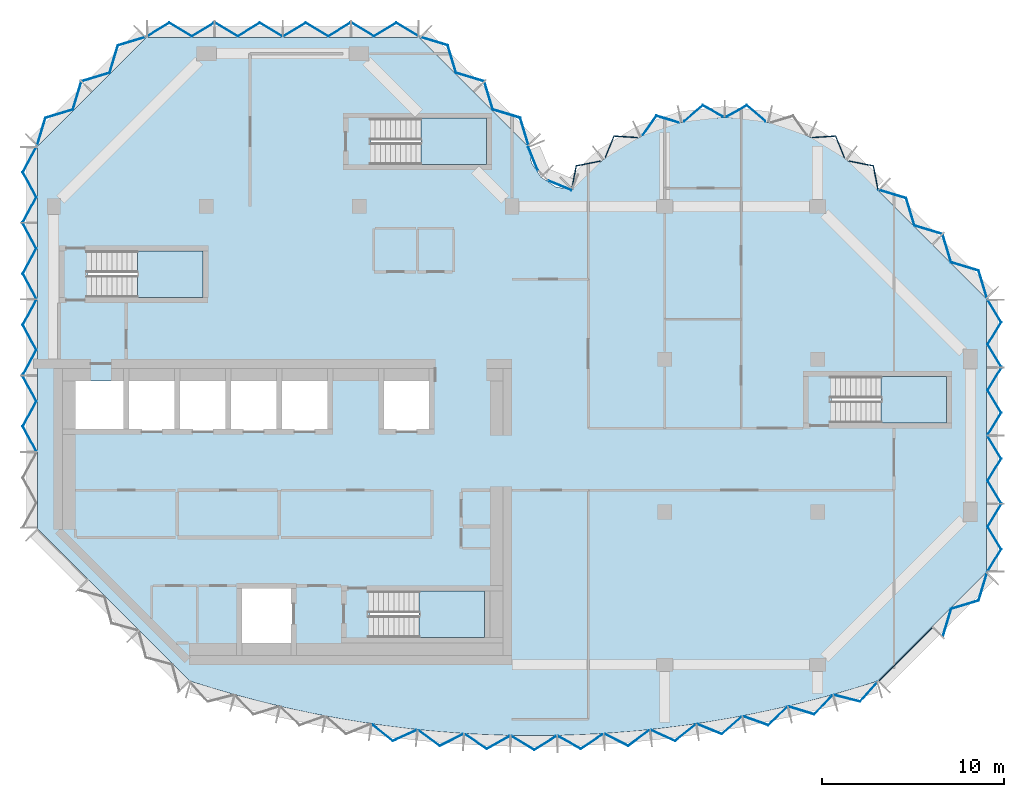
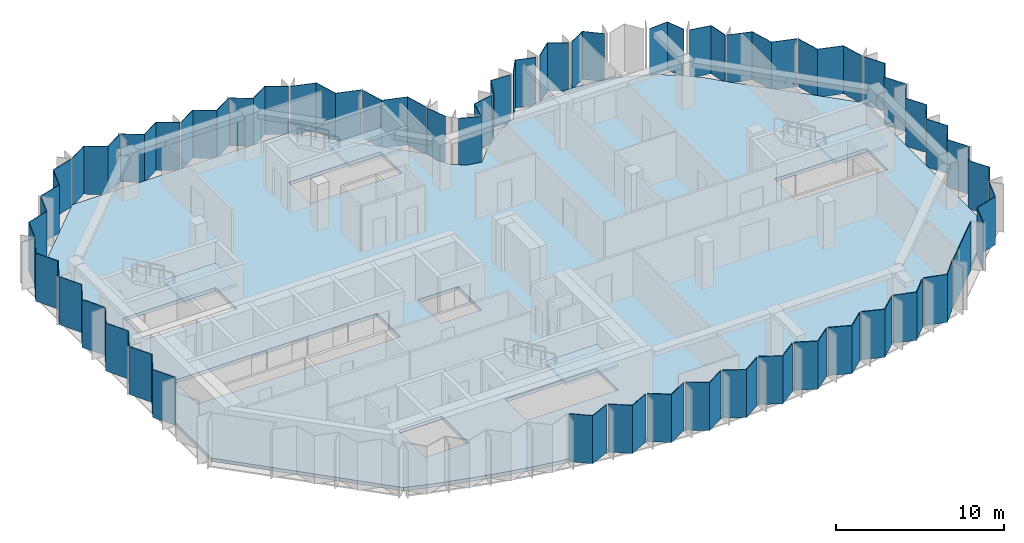
# One storey, part 3 of 9: 40 plates, 5 slabs, 14 elements without a shape of their own.
"""IFC4 building model written with IfcOpenShell, lengths in metres."""

from ifc_helpers import new_model, si_unit, direction, frame, origin, place, context, subcontext, project, spatial, polyline, outline, extrude, material, layer, layer_set, type_object, element, aggregate, save


model = new_model("IFC4")

# Units and contexts
model_context = context("Model", 3, precision=1e-05, world=origin(), true_north=direction((0.0, 1.0)))
body_context = subcontext(model_context, "Body", "Model", "MODEL_VIEW")
ifc_project = project(units=[si_unit("LENGTHUNIT", "METRE"), si_unit("AREAUNIT", "SQUARE_METRE"), si_unit("VOLUMEUNIT", "CUBIC_METRE"), si_unit("PLANEANGLEUNIT", "RADIAN"), si_unit("MASSUNIT", "GRAM", prefix="KILO")], contexts=[model_context])

# Site, building, storey
site_placement = place(None, origin())
site = spatial("IfcSite", under=ifc_project, at=site_placement, CompositionType="ELEMENT")
building_placement = place(site_placement, origin())
building = spatial("IfcBuilding", under=site, at=building_placement, Name="Brevane Broadcast Tower", CompositionType="ELEMENT")
storey_placement = place(building_placement, frame((0.0, 0.0, 248.10009765625)))
storey = spatial("IfcBuildingStorey", under=building, at=storey_placement, Name="L63", CompositionType="ELEMENT", Elevation=248.10009765625)

# Curtain wall, plates
ifc_material_1 = material(Name="Aluminium 6063-T6 bronze anodised", Category="aluminium")
curtain_wall_type = type_object("IfcCurtainWallType", Name="CW-1 curtain wall", PredefinedType="NOTDEFINED", material=ifc_material_1)
curtain_wall_1_placement = place(storey_placement, origin())
curtain_wall_1 = element("IfcCurtainWall", 1, at=curtain_wall_1_placement, inside=storey, type_object=curtain_wall_type, Name="CW-1 typical tilted unit L63 south bow", PredefinedType="NOTDEFINED")
ifc_material_2 = material(Name="Laminated glass bronze-tinted", Category="glass")
ifc_layer_1 = layer(ifc_material_2, 0.0400390625)
ifc_layer_set_1 = layer_set([ifc_layer_1], Name="CW tall glass panel 40")
plate_type = type_object("IfcPlateType", Name="CW tall glass panel 40", PredefinedType="CURTAIN_PANEL", material=ifc_layer_set_1)
plate_1_placement = place(storey_placement, frame((0.0, 0.0, -0.150146484375)))
plate_1 = element("IfcPlate", 2, at=plate_1_placement, type_object=plate_type, Name="CW-1 glass panel", PredefinedType="CURTAIN_PANEL", context=body_context, shape_type="SweptSolid", body=[
    extrude(outline(polyline([(17.534912109375, -3.273681640625), (17.528076171875, -3.319580078125), (18.63525390625, -4.211181640625), (19.926025390625, -3.623779296875), (19.930908203125, -3.57763671875), (18.64111328125, -4.164794921875), (17.534912109375, -3.273681640625)])), origin(), (0.0, 0.0, 1.0), 3.5),
])
plate_2_placement = place(storey_placement, frame((0.0, 0.0, -0.150146484375)))
plate_2 = element("IfcPlate", 3, at=plate_2_placement, type_object=plate_type, Name="CW-1 glass panel", PredefinedType="CURTAIN_PANEL", context=body_context, shape_type="SweptSolid", body=[
    extrude(outline(polyline([(20.07763671875, -3.593017578125), (20.07275390625, -3.638916015625), (21.21875, -4.48388671875), (22.4814453125, -3.843017578125), (22.484375, -3.796630859375), (21.22265625, -4.437255859375), (20.07763671875, -3.593017578125)])), origin(), (0.0, 0.0, 1.0), 3.5),
])
plate_3_placement = place(storey_placement, frame((0.0, 0.0, -0.150146484375)))
plate_3 = element("IfcPlate", 4, at=plate_3_placement, type_object=plate_type, Name="CW-1 glass panel", PredefinedType="CURTAIN_PANEL", context=body_context, shape_type="SweptSolid", body=[
    extrude(outline(polyline([(22.631591796875, -3.8056640625), (22.628662109375, -3.851806640625), (23.8115234375, -4.6484375), (25.043701171875, -3.955322265625), (25.044921875, -3.908935546875), (23.8134765625, -4.6015625), (22.631591796875, -3.8056640625)])), origin(), (0.0, 0.0, 1.0), 3.5),
])
plate_4_placement = place(storey_placement, frame((0.0, 0.0, -0.150146484375)))
plate_4 = element("IfcPlate", 5, at=plate_4_placement, type_object=plate_type, Name="CW-1 glass panel", PredefinedType="CURTAIN_PANEL", context=body_context, shape_type="SweptSolid", body=[
    extrude(outline(polyline([(25.1923828125, -3.91162109375), (25.19140625, -3.957763671875), (26.413818359375, -4.703369140625), (27.6181640625, -3.95849609375), (27.6171875, -3.912109375), (26.41357421875, -4.656494140625), (25.1923828125, -3.91162109375)])), origin(), (0.0, 0.0, 1.0), 3.5),
])
plate_5_placement = place(storey_placement, frame((0.0, 0.0, -0.150146484375)))
plate_5 = element("IfcPlate", 6, at=plate_5_placement, type_object=plate_type, Name="CW-1 glass panel", PredefinedType="CURTAIN_PANEL", context=body_context, shape_type="SweptSolid", body=[
    extrude(outline(polyline([(27.745849609375, -3.9091796875), (27.746826171875, -3.955810546875), (28.98388671875, -4.648681640625), (30.17138671875, -3.851806640625), (30.16845703125, -3.8056640625), (28.98193359375, -4.601806640625), (27.745849609375, -3.9091796875)])), origin(), (0.0, 0.0, 1.0), 3.5),
])
plate_6_placement = place(storey_placement, frame((0.0, 0.0, -0.150146484375)))
plate_6 = element("IfcPlate", 7, at=plate_6_placement, type_object=plate_type, Name="CW-1 glass panel", PredefinedType="CURTAIN_PANEL", context=body_context, shape_type="SweptSolid", body=[
    extrude(outline(polyline([(30.315673828125, -3.796630859375), (30.318603515625, -3.843017578125), (31.581298828125, -4.48388671875), (32.727294921875, -3.638916015625), (32.722412109375, -3.593017578125), (31.577392578125, -4.437255859375), (30.315673828125, -3.796630859375)])), origin(), (0.0, 0.0, 1.0), 3.5),
])
plate_7_placement = place(storey_placement, frame((0.0, 0.0, -0.150146484375)))
plate_7 = element("IfcPlate", 8, at=plate_7_placement, type_object=plate_type, Name="CW-1 glass panel", PredefinedType="CURTAIN_PANEL", context=body_context, shape_type="SweptSolid", body=[
    extrude(outline(polyline([(32.869140625, -3.57763671875), (32.8740234375, -3.623779296875), (34.164794921875, -4.211181640625), (35.27197265625, -3.319580078125), (35.26513671875, -3.273681640625), (34.158935546875, -4.164794921875), (32.869140625, -3.57763671875)])), origin(), (0.0, 0.0, 1.0), 3.5),
])
plate_8_placement = place(storey_placement, frame((0.0, 0.0, -0.150146484375)))
plate_8 = element("IfcPlate", 9, at=plate_8_placement, type_object=plate_type, Name="CW-1 glass panel", PredefinedType="CURTAIN_PANEL", context=body_context, shape_type="SweptSolid", body=[
    extrude(outline(polyline([(35.4111328125, -3.252197265625), (35.41796875, -3.298095703125), (36.73486328125, -3.830810546875), (37.80126953125, -2.894287109375), (37.79248046875, -2.8486328125), (36.726806640625, -3.78466796875), (35.4111328125, -3.252197265625)])), origin(), (0.0, 0.0, 1.0), 3.5),
])
plate_9_placement = place(storey_placement, frame((0.0, 0.0, -0.150146484375)))
plate_9 = element("IfcPlate", 10, at=plate_9_placement, type_object=plate_type, Name="CW-1 glass panel", PredefinedType="CURTAIN_PANEL", context=body_context, shape_type="SweptSolid", body=[
    extrude(outline(polyline([(37.9375, -2.82080078125), (37.946044921875, -2.866455078125), (39.28662109375, -3.343505859375), (40.310546875, -2.36376953125), (40.2998046875, -2.318603515625), (39.276611328125, -3.29736328125), (37.9375, -2.82080078125)])), origin(), (0.0, 0.0, 1.0), 3.5),
])
plate_10_placement = place(storey_placement, frame((0.0, 0.0, -0.150146484375)))
plate_10 = element("IfcPlate", 11, at=plate_10_placement, type_object=plate_type, Name="CW-1 glass panel", PredefinedType="CURTAIN_PANEL", context=body_context, shape_type="SweptSolid", body=[
    extrude(outline(polyline([(40.443603515625, -2.284423828125), (40.4541015625, -2.32958984375), (41.81591796875, -2.749755859375), (42.79541015625, -1.728759765625), (42.782958984375, -1.68408203125), (41.803955078125, -2.7041015625), (40.443603515625, -2.284423828125)])), origin(), (0.0, 0.0, 1.0), 3.5),
])
plate_11_placement = place(storey_placement, frame((0.0, 0.0, -0.150146484375)))
plate_11 = element("IfcPlate", 12, at=plate_11_placement, type_object=plate_type, Name="CW-1 glass panel", PredefinedType="CURTAIN_PANEL", context=body_context, shape_type="SweptSolid", body=[
    extrude(outline(polyline([(42.925048828125, -1.64404296875), (42.9375, -1.6884765625), (44.336669921875, -2.044921875), (45.287841796875, -0.980712890625), (45.2744140625, -0.935791015625), (44.322998046875, -2.000244140625), (42.925048828125, -1.64404296875)])), origin(), (0.0, 0.0, 1.0), 3.5),
])
aggregate(curtain_wall_1, [plate_1, plate_2, plate_3, plate_4, plate_5, plate_6, plate_7, plate_8, plate_9, plate_10, plate_11])

curtain_wall_2_placement = place(storey_placement, origin())
curtain_wall_2 = element("IfcCurtainWall", 13, at=curtain_wall_2_placement, inside=storey, type_object=curtain_wall_type, Name="CW-1 typical tilted unit L63 south-east chamfer", PredefinedType="NOTDEFINED")
plate_12_placement = place(storey_placement, frame((0.0, 0.0, -0.150146484375)))
plate_12 = element("IfcPlate", 14, at=plate_12_placement, type_object=plate_type, Name="CW-1 glass panel", PredefinedType="CURTAIN_PANEL", context=body_context, shape_type="SweptSolid", body=[
    extrude(outline(polyline([(45.345947265625, -0.896484375), (48.29638671875, 2.053955078125), (48.32470703125, 2.02587890625), (45.374267578125, -0.9248046875), (45.345947265625, -0.896484375)])), origin(), (0.0, 0.0, 1.0), 3.5),
])
plate_13_placement = place(storey_placement, frame((0.0, 0.0, -0.150146484375)))
plate_13 = element("IfcPlate", 15, at=plate_13_placement, type_object=plate_type, Name="CW-1 glass panel", PredefinedType="CURTAIN_PANEL", context=body_context, shape_type="SweptSolid", body=[
    extrude(outline(polyline([(48.870361328125, 1.5791015625), (48.902587890625, 1.547119140625), (49.359619140625, 3.056884765625), (50.869384765625, 3.513916015625), (51.32666015625, 5.02392578125), (51.294677734375, 5.055908203125), (50.83740234375, 3.546142578125), (49.32763671875, 3.0888671875), (48.870361328125, 1.5791015625)])), origin(), (0.0, 0.0, 1.0), 3.5),
])
aggregate(curtain_wall_2, [plate_12, plate_13])

curtain_wall_3_placement = place(storey_placement, origin())
curtain_wall_3 = element("IfcCurtainWall", 16, at=curtain_wall_3_placement, inside=storey, type_object=curtain_wall_type, Name="CW-1 typical tilted unit L63 east end", PredefinedType="NOTDEFINED")
plate_14_placement = place(storey_placement, frame((0.0, 0.0, -0.150146484375)))
plate_14 = element("IfcPlate", 17, at=plate_14_placement, type_object=plate_type, Name="CW-1 glass panel", PredefinedType="CURTAIN_PANEL", context=body_context, shape_type="SweptSolid", body=[
    extrude(outline(polyline([(51.32666015625, 5.135009765625), (51.373291015625, 5.135009765625), (52.117919921875, 6.36181640625), (51.373291015625, 7.58837890625), (52.117919921875, 8.81494140625), (52.071044921875, 8.81494140625), (51.32666015625, 7.58837890625), (52.071044921875, 6.36181640625), (51.32666015625, 5.135009765625)])), origin(), (0.0, 0.0, 1.0), 3.5),
])
plate_15_placement = place(storey_placement, frame((0.0, 0.0, -0.150146484375)))
plate_15 = element("IfcPlate", 18, at=plate_15_placement, type_object=plate_type, Name="CW-1 glass panel", PredefinedType="CURTAIN_PANEL", context=body_context, shape_type="SweptSolid", body=[
    extrude(outline(polyline([(52.071044921875, 8.885009765625), (52.117919921875, 8.885009765625), (51.373291015625, 10.11181640625), (52.117919921875, 11.33837890625), (51.373291015625, 12.56494140625), (51.32666015625, 12.56494140625), (52.071044921875, 11.33837890625), (51.32666015625, 10.11181640625), (52.071044921875, 8.885009765625)])), origin(), (0.0, 0.0, 1.0), 3.5),
])
plate_16_placement = place(storey_placement, frame((0.0, 0.0, -0.150146484375)))
plate_16 = element("IfcPlate", 19, at=plate_16_placement, type_object=plate_type, Name="CW-1 glass panel", PredefinedType="CURTAIN_PANEL", context=body_context, shape_type="SweptSolid", body=[
    extrude(outline(polyline([(51.32666015625, 12.635009765625), (51.373291015625, 12.635009765625), (52.117919921875, 13.86181640625), (51.373291015625, 15.08837890625), (52.117919921875, 16.31494140625), (52.071044921875, 16.31494140625), (51.32666015625, 15.08837890625), (52.071044921875, 13.86181640625), (51.32666015625, 12.635009765625)])), origin(), (0.0, 0.0, 1.0), 3.5),
])
plate_17_placement = place(storey_placement, frame((0.0, 0.0, -0.150146484375)))
plate_17 = element("IfcPlate", 20, at=plate_17_placement, type_object=plate_type, Name="CW-1 glass panel", PredefinedType="CURTAIN_PANEL", context=body_context, shape_type="SweptSolid", body=[
    extrude(outline(polyline([(52.071044921875, 16.385009765625), (52.117919921875, 16.385009765625), (51.373291015625, 17.61181640625), (52.117919921875, 18.83837890625), (51.373291015625, 20.06494140625), (51.32666015625, 20.06494140625), (52.071044921875, 18.83837890625), (51.32666015625, 17.61181640625), (52.071044921875, 16.385009765625)])), origin(), (0.0, 0.0, 1.0), 3.5),
])
aggregate(curtain_wall_3, [plate_14, plate_15, plate_16, plate_17])

curtain_wall_4_placement = place(storey_placement, origin())
curtain_wall_4 = element("IfcCurtainWall", 21, at=curtain_wall_4_placement, inside=storey, type_object=curtain_wall_type, Name="CW-1 typical tilted unit L63 north-east chamfer", PredefinedType="NOTDEFINED")
plate_18_placement = place(storey_placement, frame((0.0, 0.0, -0.150146484375)))
plate_18 = element("IfcPlate", 22, at=plate_18_placement, type_object=plate_type, Name="CW-1 glass panel", PredefinedType="CURTAIN_PANEL", context=body_context, shape_type="SweptSolid", body=[
    extrude(outline(polyline([(51.294677734375, 20.14404296875), (51.32666015625, 20.176025390625), (50.869384765625, 21.68603515625), (49.359619140625, 22.14306640625), (48.902587890625, 23.653076171875), (48.870361328125, 23.620849609375), (49.32763671875, 22.111083984375), (50.83740234375, 21.65380859375), (51.294677734375, 20.14404296875)])), origin(), (0.0, 0.0, 1.0), 3.5),
])
plate_19_placement = place(storey_placement, frame((0.0, 0.0, -0.150146484375)))
plate_19 = element("IfcPlate", 23, at=plate_19_placement, type_object=plate_type, Name="CW-1 glass panel", PredefinedType="CURTAIN_PANEL", context=body_context, shape_type="SweptSolid", body=[
    extrude(outline(polyline([(48.82080078125, 23.67041015625), (48.85302734375, 23.702392578125), (47.343017578125, 24.15966796875), (46.885986328125, 25.66943359375), (45.376220703125, 26.126708984375), (45.343994140625, 26.094482421875), (46.85400390625, 25.637451171875), (47.31103515625, 24.127685546875), (48.82080078125, 23.67041015625)])), origin(), (0.0, 0.0, 1.0), 3.5),
])
aggregate(curtain_wall_4, [plate_18, plate_19])

curtain_wall_5_placement = place(storey_placement, origin())
curtain_wall_5 = element("IfcCurtainWall", 24, at=curtain_wall_5_placement, inside=storey, type_object=curtain_wall_type, Name="CW-1 typical tilted unit L63 east bow", PredefinedType="NOTDEFINED")
plate_20_placement = place(storey_placement, frame((0.0, 0.0, -0.150146484375)))
plate_20 = element("IfcPlate", 25, at=plate_20_placement, type_object=plate_type, Name="CW-1 glass panel", PredefinedType="CURTAIN_PANEL", context=body_context, shape_type="SweptSolid", body=[
    extrude(outline(polyline([(45.2939453125, 26.14404296875), (45.327880859375, 26.17919921875), (45.086181640625, 27.447265625), (43.738525390625, 27.71142578125), (43.7109375, 27.67626953125), (45.052001953125, 27.4130859375), (45.2939453125, 26.14404296875)])), origin(), (0.0, 0.0, 1.0), 3.5),
])
plate_21_placement = place(storey_placement, frame((0.0, 0.0, -0.150146484375)))
plate_21 = element("IfcPlate", 26, at=plate_21_placement, type_object=plate_type, Name="CW-1 glass panel", PredefinedType="CURTAIN_PANEL", context=body_context, shape_type="SweptSolid", body=[
    extrude(outline(polyline([(43.45703125, 27.8759765625), (43.4853515625, 27.912109375), (43.00390625, 29.089111328125), (41.710693359375, 29.006591796875), (41.69091796875, 28.96533203125), (42.977783203125, 29.04736328125), (43.45703125, 27.8759765625)])), origin(), (0.0, 0.0, 1.0), 3.5),
])
plate_22_placement = place(storey_placement, frame((0.0, 0.0, -0.150146484375)))
plate_22 = element("IfcPlate", 27, at=plate_22_placement, type_object=plate_type, Name="CW-1 glass panel", PredefinedType="CURTAIN_PANEL", context=body_context, shape_type="SweptSolid", body=[
    extrude(outline(polyline([(39.125, 29.859619140625), (39.13525390625, 29.903564453125), (38.116943359375, 30.779296875), (37.008056640625, 30.15869140625), (37.008056640625, 30.11279296875), (38.112060546875, 30.730712890625), (39.125, 29.859619140625)])), origin(), (0.0, 0.0, 1.0), 3.5),
])
plate_23_placement = place(storey_placement, frame((0.0, 0.0, -0.150146484375)))
plate_23 = element("IfcPlate", 28, at=plate_23_placement, type_object=plate_type, Name="CW-1 glass panel", PredefinedType="CURTAIN_PANEL", context=body_context, shape_type="SweptSolid", body=[
    extrude(outline(polyline([(36.7919921875, 30.11279296875), (36.7919921875, 30.15869140625), (35.68310546875, 30.779296875), (34.664794921875, 29.903564453125), (34.6748046875, 29.859619140625), (35.68798828125, 30.730712890625), (36.7919921875, 30.11279296875)])), origin(), (0.0, 0.0, 1.0), 3.5),
])
plate_24_placement = place(storey_placement, frame((0.0, 0.0, -0.150146484375)))
plate_24 = element("IfcPlate", 29, at=plate_24_placement, type_object=plate_type, Name="CW-1 glass panel", PredefinedType="CURTAIN_PANEL", context=body_context, shape_type="SweptSolid", body=[
    extrude(outline(polyline([(34.359619140625, 29.78857421875), (34.349365234375, 29.83349609375), (33.132080078125, 30.20166015625), (32.381103515625, 29.1455078125), (32.400634765625, 29.104248046875), (33.148193359375, 30.155029296875), (34.359619140625, 29.78857421875)])), origin(), (0.0, 0.0, 1.0), 3.5),
])
plate_25_placement = place(storey_placement, frame((0.0, 0.0, -0.150146484375)))
plate_25 = element("IfcPlate", 30, at=plate_25_placement, type_object=plate_type, Name="CW-1 glass panel", PredefinedType="CURTAIN_PANEL", context=body_context, shape_type="SweptSolid", body=[
    extrude(outline(polyline([(32.10888671875, 28.96533203125), (32.08935546875, 29.006591796875), (30.7958984375, 29.089111328125), (30.314697265625, 27.912109375), (30.343017578125, 27.8759765625), (30.822265625, 29.04736328125), (32.10888671875, 28.96533203125)])), origin(), (0.0, 0.0, 1.0), 3.5),
])
plate_26_placement = place(storey_placement, frame((0.0, 0.0, -0.150146484375)))
plate_26 = element("IfcPlate", 31, at=plate_26_placement, type_object=plate_type, Name="CW-1 glass panel", PredefinedType="CURTAIN_PANEL", context=body_context, shape_type="SweptSolid", body=[
    extrude(outline(polyline([(30.089111328125, 27.67626953125), (30.0615234375, 27.71142578125), (28.7138671875, 27.447265625), (28.471923828125, 26.17919921875), (28.506103515625, 26.14404296875), (28.748046875, 27.4130859375), (30.089111328125, 27.67626953125)])), origin(), (0.0, 0.0, 1.0), 3.5),
])
aggregate(curtain_wall_5, [plate_20, plate_21, plate_22, plate_23, plate_24, plate_25, plate_26])

curtain_wall_6_placement = place(storey_placement, origin())
curtain_wall_6 = element("IfcCurtainWall", 32, at=curtain_wall_6_placement, inside=storey, type_object=curtain_wall_type, Name="CW-1 typical tilted unit L63 inner corner", PredefinedType="NOTDEFINED")
plate_27_placement = place(storey_placement, frame((0.0, 0.0, -0.150146484375)))
plate_27 = element("IfcPlate", 33, at=plate_27_placement, type_object=plate_type, Name="CW-1 glass panel", PredefinedType="CURTAIN_PANEL", context=body_context, shape_type="SweptSolid", body=[
    extrude(outline(polyline([(28.45166015625, 26.07470703125), (28.466796875, 26.111572265625), (27.2021484375, 26.635498046875), (27.17138671875, 26.60498046875), (28.45166015625, 26.07470703125)])), origin(), (0.0, 0.0, 1.0), 3.5),
])
plate_28_placement = place(storey_placement, frame((0.0, 0.0, -0.150146484375)))
plate_28 = element("IfcPlate", 34, at=plate_28_placement, type_object=plate_type, Name="CW-1 glass panel", PredefinedType="CURTAIN_PANEL", context=body_context, shape_type="SweptSolid", body=[
    extrude(outline(polyline([(26.60498046875, 27.17138671875), (26.635498046875, 27.2021484375), (26.111572265625, 28.466796875), (26.07470703125, 28.45166015625), (26.60498046875, 27.17138671875)])), origin(), (0.0, 0.0, 1.0), 3.5),
])
aggregate(curtain_wall_6, [plate_27, plate_28])

curtain_wall_7_placement = place(storey_placement, origin())
curtain_wall_7 = element("IfcCurtainWall", 35, at=curtain_wall_7_placement, inside=storey, type_object=curtain_wall_type, Name="CW-1 typical tilted unit L63 north arm north-east chamfer", PredefinedType="NOTDEFINED")
plate_29_placement = place(storey_placement, frame((0.0, 0.0, -0.150146484375)))
plate_29 = element("IfcPlate", 36, at=plate_29_placement, type_object=plate_type, Name="CW-1 glass panel", PredefinedType="CURTAIN_PANEL", context=body_context, shape_type="SweptSolid", body=[
    extrude(outline(polyline([(26.094482421875, 28.544189453125), (26.126708984375, 28.576171875), (25.66943359375, 30.0859375), (24.15966796875, 30.543212890625), (23.702392578125, 32.052978515625), (23.67041015625, 32.02099609375), (24.127685546875, 30.510986328125), (25.637451171875, 30.053955078125), (26.094482421875, 28.544189453125)])), origin(), (0.0, 0.0, 1.0), 3.5),
])
plate_30_placement = place(storey_placement, frame((0.0, 0.0, -0.150146484375)))
plate_30 = element("IfcPlate", 37, at=plate_30_placement, type_object=plate_type, Name="CW-1 glass panel", PredefinedType="CURTAIN_PANEL", context=body_context, shape_type="SweptSolid", body=[
    extrude(outline(polyline([(23.620849609375, 32.0703125), (23.653076171875, 32.1025390625), (22.14306640625, 32.5595703125), (21.68603515625, 34.069580078125), (20.176025390625, 34.526611328125), (20.14404296875, 34.49462890625), (21.65380859375, 34.037353515625), (22.111083984375, 32.527587890625), (23.620849609375, 32.0703125)])), origin(), (0.0, 0.0, 1.0), 3.5),
])
aggregate(curtain_wall_7, [plate_29, plate_30])

curtain_wall_8_placement = place(storey_placement, origin())
curtain_wall_8 = element("IfcCurtainWall", 38, at=curtain_wall_8_placement, inside=storey, type_object=curtain_wall_type, Name="CW-1 typical tilted unit L63 north end", PredefinedType="NOTDEFINED")
plate_31_placement = place(storey_placement, frame((0.0, 0.0, -0.150146484375)))
plate_31 = element("IfcPlate", 39, at=plate_31_placement, type_object=plate_type, Name="CW-1 glass panel", PredefinedType="CURTAIN_PANEL", context=body_context, shape_type="SweptSolid", body=[
    extrude(outline(polyline([(20.06494140625, 34.526611328125), (20.06494140625, 34.573486328125), (18.83837890625, 35.31787109375), (17.61181640625, 34.573486328125), (16.385009765625, 35.31787109375), (16.385009765625, 35.27099609375), (17.61181640625, 34.526611328125), (18.83837890625, 35.27099609375), (20.06494140625, 34.526611328125)])), origin(), (0.0, 0.0, 1.0), 3.5),
])
plate_32_placement = place(storey_placement, frame((0.0, 0.0, -0.150146484375)))
plate_32 = element("IfcPlate", 40, at=plate_32_placement, type_object=plate_type, Name="CW-1 glass panel", PredefinedType="CURTAIN_PANEL", context=body_context, shape_type="SweptSolid", body=[
    extrude(outline(polyline([(16.31494140625, 35.27099609375), (16.31494140625, 35.31787109375), (15.08837890625, 34.573486328125), (13.86181640625, 35.31787109375), (12.635009765625, 34.573486328125), (12.635009765625, 34.526611328125), (13.86181640625, 35.27099609375), (15.08837890625, 34.526611328125), (16.31494140625, 35.27099609375)])), origin(), (0.0, 0.0, 1.0), 3.5),
])
plate_33_placement = place(storey_placement, frame((0.0, 0.0, -0.150146484375)))
plate_33 = element("IfcPlate", 41, at=plate_33_placement, type_object=plate_type, Name="CW-1 glass panel", PredefinedType="CURTAIN_PANEL", context=body_context, shape_type="SweptSolid", body=[
    extrude(outline(polyline([(12.56494140625, 34.526611328125), (12.56494140625, 34.573486328125), (11.33837890625, 35.31787109375), (10.11181640625, 34.573486328125), (8.885009765625, 35.31787109375), (8.885009765625, 35.27099609375), (10.11181640625, 34.526611328125), (11.33837890625, 35.27099609375), (12.56494140625, 34.526611328125)])), origin(), (0.0, 0.0, 1.0), 3.5),
])
plate_34_placement = place(storey_placement, frame((0.0, 0.0, -0.150146484375)))
plate_34 = element("IfcPlate", 42, at=plate_34_placement, type_object=plate_type, Name="CW-1 glass panel", PredefinedType="CURTAIN_PANEL", context=body_context, shape_type="SweptSolid", body=[
    extrude(outline(polyline([(8.81494140625, 35.27099609375), (8.81494140625, 35.31787109375), (7.58837890625, 34.573486328125), (6.36181640625, 35.31787109375), (5.135009765625, 34.573486328125), (5.135009765625, 34.526611328125), (6.36181640625, 35.27099609375), (7.58837890625, 34.526611328125), (8.81494140625, 35.27099609375)])), origin(), (0.0, 0.0, 1.0), 3.5),
])
aggregate(curtain_wall_8, [plate_31, plate_32, plate_33, plate_34])

curtain_wall_9_placement = place(storey_placement, origin())
curtain_wall_9 = element("IfcCurtainWall", 43, at=curtain_wall_9_placement, inside=storey, type_object=curtain_wall_type, Name="CW-1 typical tilted unit L63 north-west chamfer", PredefinedType="NOTDEFINED")
plate_35_placement = place(storey_placement, frame((0.0, 0.0, -0.150146484375)))
plate_35 = element("IfcPlate", 44, at=plate_35_placement, type_object=plate_type, Name="CW-1 glass panel", PredefinedType="CURTAIN_PANEL", context=body_context, shape_type="SweptSolid", body=[
    extrude(outline(polyline([(5.055908203125, 34.49462890625), (5.02392578125, 34.526611328125), (3.513916015625, 34.069580078125), (3.056884765625, 32.5595703125), (1.547119140625, 32.1025390625), (1.5791015625, 32.0703125), (3.0888671875, 32.527587890625), (3.546142578125, 34.037353515625), (5.055908203125, 34.49462890625)])), origin(), (0.0, 0.0, 1.0), 3.5),
])
plate_36_placement = place(storey_placement, frame((0.0, 0.0, -0.150146484375)))
plate_36 = element("IfcPlate", 45, at=plate_36_placement, type_object=plate_type, Name="CW-1 glass panel", PredefinedType="CURTAIN_PANEL", context=body_context, shape_type="SweptSolid", body=[
    extrude(outline(polyline([(1.529541015625, 32.02099609375), (1.49755859375, 32.052978515625), (1.040283203125, 30.543212890625), (-0.469482421875, 30.0859375), (-0.926513671875, 28.576171875), (-0.89453125, 28.544189453125), (-0.4375, 30.053955078125), (1.072509765625, 30.510986328125), (1.529541015625, 32.02099609375)])), origin(), (0.0, 0.0, 1.0), 3.5),
])
aggregate(curtain_wall_9, [plate_35, plate_36])

curtain_wall_10_placement = place(storey_placement, origin())
curtain_wall_10 = element("IfcCurtainWall", 46, at=curtain_wall_10_placement, inside=storey, type_object=curtain_wall_type, Name="CW-1 typical tilted unit L63 west face", PredefinedType="NOTDEFINED")
plate_37_placement = place(storey_placement, frame((0.0, 0.0, -0.150146484375)))
plate_37 = element("IfcPlate", 47, at=plate_37_placement, type_object=plate_type, Name="CW-1 glass panel", PredefinedType="CURTAIN_PANEL", context=body_context, shape_type="SweptSolid", body=[
    extrude(outline(polyline([(-0.92724609375, 28.465087890625), (-0.97265625, 28.465087890625), (-1.717041015625, 27.08837890625), (-0.97265625, 25.711669921875), (-1.717041015625, 24.3349609375), (-1.671630859375, 24.3349609375), (-0.92724609375, 25.711669921875), (-1.671630859375, 27.08837890625), (-0.92724609375, 28.465087890625)])), origin(), (0.0, 0.0, 1.0), 3.5),
])
plate_38_placement = place(storey_placement, frame((0.0, 0.0, -0.150146484375)))
plate_38 = element("IfcPlate", 48, at=plate_38_placement, type_object=plate_type, Name="CW-1 glass panel", PredefinedType="CURTAIN_PANEL", context=body_context, shape_type="SweptSolid", body=[
    extrude(outline(polyline([(-1.671630859375, 24.264892578125), (-1.717041015625, 24.264892578125), (-0.97265625, 22.88818359375), (-1.717041015625, 21.51171875), (-0.97265625, 20.135009765625), (-0.92724609375, 20.135009765625), (-1.671630859375, 21.51171875), (-0.92724609375, 22.88818359375), (-1.671630859375, 24.264892578125)])), origin(), (0.0, 0.0, 1.0), 3.5),
])
plate_39_placement = place(storey_placement, frame((0.0, 0.0, -0.150146484375)))
plate_39 = element("IfcPlate", 49, at=plate_39_placement, type_object=plate_type, Name="CW-1 glass panel", PredefinedType="CURTAIN_PANEL", context=body_context, shape_type="SweptSolid", body=[
    extrude(outline(polyline([(-0.92724609375, 20.06494140625), (-0.97265625, 20.06494140625), (-1.717041015625, 18.688232421875), (-0.97265625, 17.311767578125), (-1.717041015625, 15.93505859375), (-1.671630859375, 15.93505859375), (-0.92724609375, 17.311767578125), (-1.671630859375, 18.688232421875), (-0.92724609375, 20.06494140625)])), origin(), (0.0, 0.0, 1.0), 3.5),
])
plate_40_placement = place(storey_placement, frame((0.0, 0.0, -0.150146484375)))
plate_40 = element("IfcPlate", 50, at=plate_40_placement, type_object=plate_type, Name="CW-1 glass panel", PredefinedType="CURTAIN_PANEL", context=body_context, shape_type="SweptSolid", body=[
    extrude(outline(polyline([(-1.671630859375, 15.864990234375), (-1.717041015625, 15.864990234375), (-0.97265625, 14.48828125), (-1.717041015625, 13.11181640625), (-0.97265625, 11.735107421875), (-0.92724609375, 11.735107421875), (-1.671630859375, 13.11181640625), (-0.92724609375, 14.48828125), (-1.671630859375, 15.864990234375)])), origin(), (0.0, 0.0, 1.0), 3.5),
])
aggregate(curtain_wall_10, [plate_37, plate_38, plate_39, plate_40])

# Stair, slab
ifc_material_3 = material(Name="Concrete C50/60", Category="concrete")
stair_type = type_object("IfcStairType", Name="Exit stair 22 risers", PredefinedType="HALF_TURN_STAIR", material=ifc_material_3)
stair_1_placement = place(storey_placement, origin())
stair_1 = element("IfcStair", 51, at=stair_1_placement, inside=storey, type_object=stair_type, Name="L63 Exit stair ST-1", PredefinedType="HALF_TURN_STAIR")
ifc_layer_2 = layer(ifc_material_3, 0.199951171875)
ifc_layer_set_2 = layer_set([ifc_layer_2], Name="Exit stair landing")
slab_type_1 = type_object("IfcSlabType", Name="Exit stair landing", PredefinedType="LANDING", material=ifc_layer_set_2)
slab_1_placement = place(storey_placement, frame((0.0, 0.0, 1.599853515625)))
slab_1 = element("IfcSlab", 52, at=slab_1_placement, type_object=slab_type_1, Name="ST-1 landing 1", PredefinedType="LANDING", context=body_context, shape_type="SweptSolid", body=[
    extrude(outline(polyline([(4.60009765625, 20.199951171875), (8.199951171875, 20.199951171875), (8.199951171875, 22.75), (4.60009765625, 22.75), (4.60009765625, 20.199951171875)])), origin(), (0.0, 0.0, 1.0), 0.199951171875),
])
aggregate(stair_1, [slab_1])

stair_2_placement = place(storey_placement, origin())
stair_2 = element("IfcStair", 53, at=stair_2_placement, inside=storey, type_object=stair_type, Name="L63 Exit stair ST-2", PredefinedType="HALF_TURN_STAIR")
slab_2_placement = place(storey_placement, frame((0.0, 0.0, 1.599853515625)))
slab_2 = element("IfcSlab", 54, at=slab_2_placement, type_object=slab_type_1, Name="ST-2 landing 1", PredefinedType="LANDING", context=body_context, shape_type="SweptSolid", body=[
    extrude(outline(polyline([(20.10009765625, 1.5), (23.699951171875, 1.5), (23.699951171875, 4.050048828125), (20.10009765625, 4.050048828125), (20.10009765625, 1.5)])), origin(), (0.0, 0.0, 1.0), 0.199951171875),
])
aggregate(stair_2, [slab_2])

stair_3_placement = place(storey_placement, origin())
stair_3 = element("IfcStair", 55, at=stair_3_placement, inside=storey, type_object=stair_type, Name="L63 Exit stair ST-3", PredefinedType="HALF_TURN_STAIR")
slab_3_placement = place(storey_placement, frame((0.0, 0.0, 1.599853515625)))
slab_3 = element("IfcSlab", 56, at=slab_3_placement, type_object=slab_type_1, Name="ST-3 landing 1", PredefinedType="LANDING", context=body_context, shape_type="SweptSolid", body=[
    extrude(outline(polyline([(20.199951171875, 27.5), (23.800048828125, 27.5), (23.800048828125, 30.050048828125), (20.199951171875, 30.050048828125), (20.199951171875, 27.5)])), origin(), (0.0, 0.0, 1.0), 0.199951171875),
])
aggregate(stair_3, [slab_3])

stair_4_placement = place(storey_placement, origin())
stair_4 = element("IfcStair", 57, at=stair_4_placement, inside=storey, type_object=stair_type, Name="L63 Exit stair ST-4", PredefinedType="HALF_TURN_STAIR")
slab_4_placement = place(storey_placement, frame((0.0, 0.0, 1.599853515625)))
slab_4 = element("IfcSlab", 58, at=slab_4_placement, type_object=slab_type_1, Name="ST-4 landing 1", PredefinedType="LANDING", context=body_context, shape_type="SweptSolid", body=[
    extrude(outline(polyline([(45.5, 13.300048828125), (49.10009765625, 13.300048828125), (49.10009765625, 15.85009765625), (45.5, 15.85009765625), (45.5, 13.300048828125)])), origin(), (0.0, 0.0, 1.0), 0.199951171875),
])
aggregate(stair_4, [slab_4])

# Slab
ifc_material_4 = material(Name="Concrete C40/50", Category="concrete")
ifc_layer_3 = layer(ifc_material_4, 0.25)
ifc_layer_set_3 = layer_set([ifc_layer_3], Name="RC FLOOR SLAB 250 C40/50")
slab_type_2 = type_object("IfcSlabType", Name="RC FLOOR SLAB 250 C40/50", PredefinedType="FLOOR", material=ifc_layer_set_3)
slab_5_placement = place(storey_placement, frame((0.0, 0.0, -0.25)))
element("IfcSlab", 59, at=slab_5_placement, inside=storey, type_object=slab_type_2, Name="SL250 L63", PredefinedType="FLOOR", context=body_context, shape_type="SweptSolid", body=[
    extrude(outline(polyline([(-0.89990234375, 7.5), (-0.89990234375, 28.5), (5.10009765625, 34.5), (20.10009765625, 34.5), (26.10009765625, 28.5), (26.28271484375, 27.58154296875), (26.802978515625, 26.802978515625), (27.58154296875, 26.28271484375), (28.5, 26.10009765625), (29.431396484375, 27.10888671875), (30.48291015625, 27.99169921875), (31.6376953125, 28.734130859375), (32.877197265625, 29.324462890625), (34.181640625, 29.7529296875), (35.52978515625, 30.012939453125), (36.89990234375, 30.10009765625), (38.270263671875, 30.012939453125), (39.618408203125, 29.7529296875), (40.922607421875, 29.324462890625), (42.162353515625, 28.734130859375), (43.317138671875, 27.99169921875), (44.36865234375, 27.10888671875), (45.300048828125, 26.10009765625), (51.300048828125, 20.10009765625), (51.300048828125, 5.10009765625), (45.300048828125, -0.89990234375), (43.990234375, -1.310302734375), (42.671630859375, -1.691162109375), (41.3447265625, -2.0419921875), (40.01025390625, -2.36328125), (38.6689453125, -2.654052734375), (37.3212890625, -2.9150390625), (35.96826171875, -3.145263671875), (34.6103515625, -3.34521484375), (33.248291015625, -3.5146484375), (31.8828125, -3.6533203125), (30.5146484375, -3.76123046875), (29.144287109375, -3.83837890625), (27.7724609375, -3.884521484375), (26.39990234375, -3.89990234375), (25.027587890625, -3.884521484375), (23.65576171875, -3.83837890625), (22.285400390625, -3.76123046875), (20.917236328125, -3.6533203125), (19.5517578125, -3.5146484375), (18.189697265625, -3.34521484375), (16.831787109375, -3.145263671875), (15.478759765625, -2.9150390625), (14.131103515625, -2.654052734375), (12.789794921875, -2.36328125), (11.455322265625, -2.0419921875), (10.12841796875, -1.691162109375), (8.809814453125, -1.310302734375), (7.5, -0.89990234375), (-0.89990234375, 7.5)]), holes=[polyline([(13.199951171875, 4.39990234375), (10.199951171875, 4.39990234375), (10.199951171875, 1.199951171875), (13.199951171875, 1.199951171875), (13.199951171875, 4.39990234375)]), polyline([(4.0, 15.60009765625), (1.199951171875, 15.60009765625), (1.199951171875, 12.800048828125), (4.0, 12.800048828125), (6.800048828125, 12.800048828125), (9.60009765625, 12.800048828125), (12.39990234375, 12.800048828125), (15.199951171875, 12.800048828125), (15.199951171875, 15.60009765625), (12.39990234375, 15.60009765625), (9.60009765625, 15.60009765625), (6.800048828125, 15.60009765625), (4.0, 15.60009765625)]), polyline([(1.860107421875, 22.75), (1.860107421875, 20.199951171875), (8.199951171875, 20.199951171875), (8.199951171875, 22.75), (1.860107421875, 22.75)]), polyline([(23.699951171875, 4.050048828125), (17.360107421875, 4.050048828125), (17.360107421875, 1.5), (23.699951171875, 1.5), (23.699951171875, 4.050048828125)]), polyline([(20.800048828125, 15.60009765625), (18.0, 15.60009765625), (18.0, 12.800048828125), (20.800048828125, 12.800048828125), (20.800048828125, 15.60009765625)]), polyline([(49.10009765625, 15.85009765625), (42.760009765625, 15.85009765625), (42.760009765625, 13.300048828125), (49.10009765625, 13.300048828125), (49.10009765625, 15.85009765625)]), polyline([(23.800048828125, 30.050048828125), (17.4599609375, 30.050048828125), (17.4599609375, 27.5), (23.800048828125, 27.5), (23.800048828125, 30.050048828125)])]), origin(), (0.0, 0.0, 1.0), 0.25),
])

save(model, "model.ifc")
